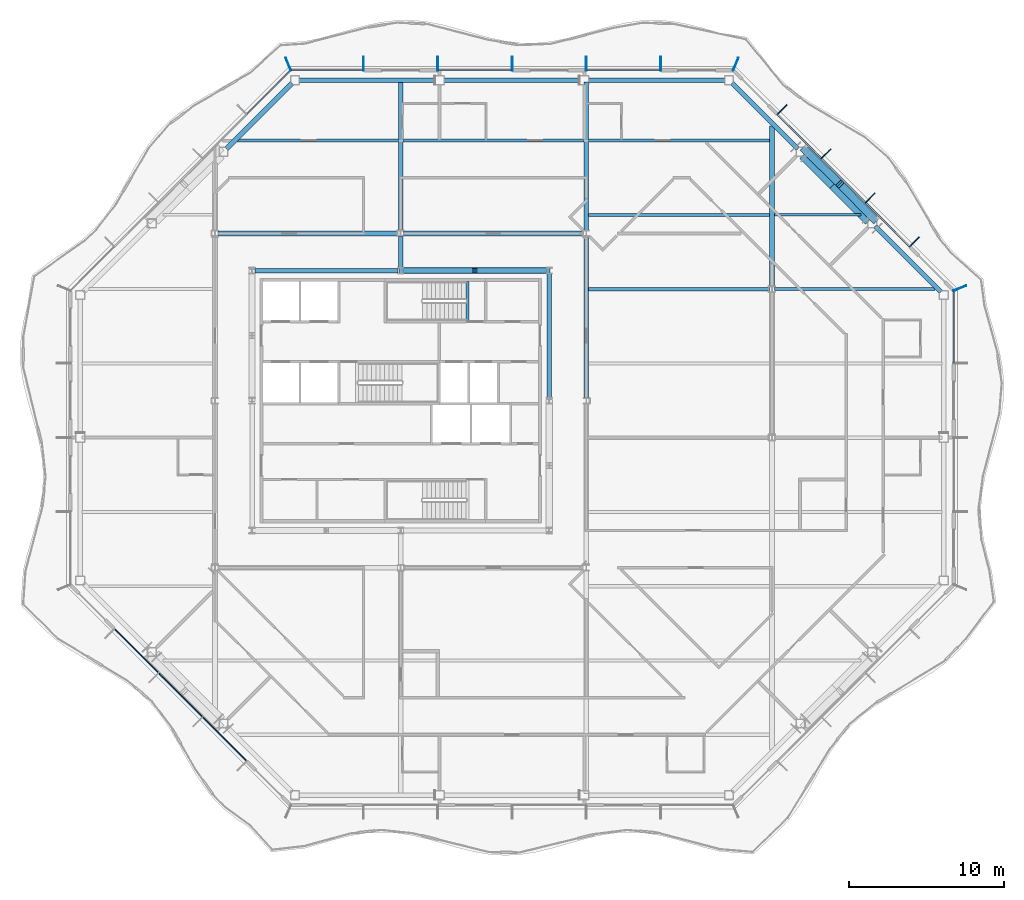
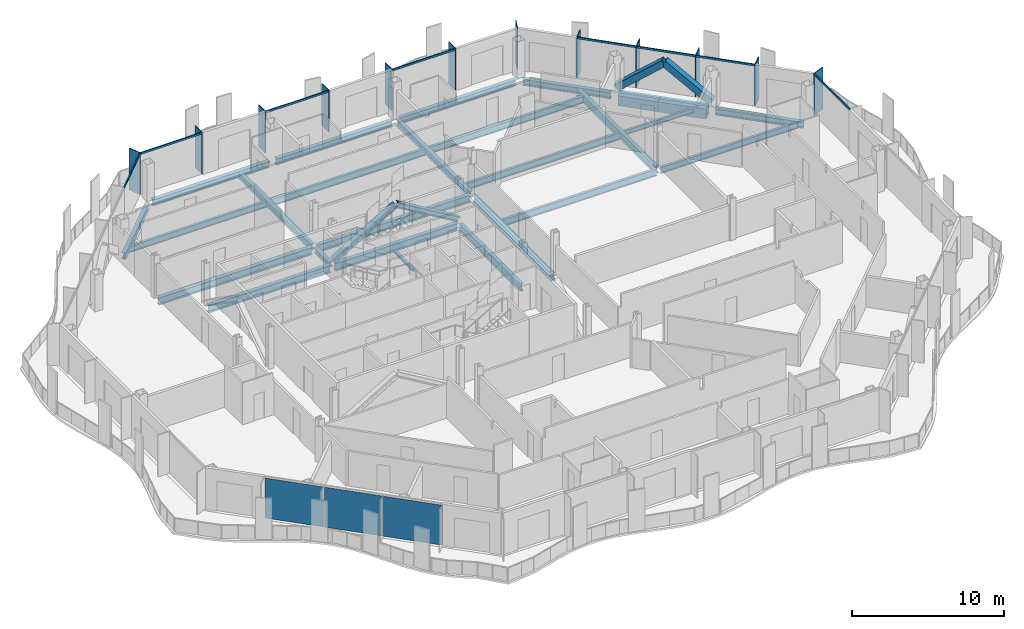
# One storey, part 5 of 19: 26 beams, 24 members, 3 plates, 5 elements without a shape of their own.
"""IFC4 building model written with IfcOpenShell, lengths in metres."""

from ifc_helpers import new_model, si_unit, direction, frame, origin, origin_2d, place, context, subcontext, project, spatial, rectangle, hollow_rectangle, i_section, extrude, material, layer, layer_set, material_profile, profile_set, type_object, element, aggregate, save


model = new_model("IFC4")

# Units and contexts
model_context = context("Model", 3, precision=1e-05, world=origin(), true_north=direction((0.0, 1.0)))
body_context = subcontext(model_context, "Body", "Model", "MODEL_VIEW")
ifc_project = project(units=[si_unit("LENGTHUNIT", "METRE"), si_unit("AREAUNIT", "SQUARE_METRE"), si_unit("VOLUMEUNIT", "CUBIC_METRE"), si_unit("PLANEANGLEUNIT", "RADIAN"), si_unit("MASSUNIT", "GRAM", prefix="KILO")], contexts=[model_context])

# Site, building, storey
site_placement = place(None, origin())
site = spatial("IfcSite", under=ifc_project, at=site_placement, CompositionType="ELEMENT")
building_placement = place(site_placement, origin())
building = spatial("IfcBuilding", under=site, at=building_placement, Name="Cairn Pilgrim Tower", CompositionType="ELEMENT")
storey_placement = place(building_placement, frame((0.0, 0.0, 201.0)))
storey = spatial("IfcBuildingStorey", under=building, at=storey_placement, Name="L51", CompositionType="ELEMENT", Elevation=201.0)

# Members
ifc_material_1 = material(Name="Structural steel S460M", Category="steel")
ifc_material_profile_1 = material_profile(ifc_material_1, hollow_rectangle(XDim=0.5, YDim=0.5, WallThickness=0.030029296875, at=origin_2d()), Name="BOX 500x500x30")
ifc_profile_set_1 = profile_set([ifc_material_profile_1], Name="Structural steel S460M")
member_type_1 = type_object("IfcMemberType", Name="BOX 500x500x30 BRACE", PredefinedType="BRACE", material=ifc_profile_set_1)
for number, where, z_axis, x_axis, name in (
    (1, (37.84326171875, 14.097900390625, 0.14990234375), (-0.551162314886, 0.558822295345, 0.619627101469), (-0.711969557174, -0.702210331494, 0.0), "XB-NE2-NE3-1"),
    (2, (33.2978515625, 18.643310546875, 0.14990234375), (0.558863129775, -0.551144025773, 0.619606540502), (0.702172509687, 0.712006858562, 0.0), "XB-NE2-NE3-2"),
):
    element("IfcMember", number, at=place(storey_placement, frame(where, z_axis=z_axis, x_axis=x_axis)), inside=storey, type_object=member_type_1, Name=name, PredefinedType="BRACE", context=body_context, shape_type="SweptSolid", body=[
        extrude(hollow_rectangle(XDim=0.5, YDim=0.5, WallThickness=0.030029296875, at=origin_2d()), origin(), (0.0, 0.0, 1.0), 4.111572265625),
    ])

# Beams
ifc_material_2 = material(Name="Structural steel S355J2", Category="steel")
ifc_material_profile_2 = material_profile(ifc_material_2, hollow_rectangle(XDim=0.699951171875, YDim=0.800048828125, WallThickness=0.0400390625, at=origin_2d()), Name="BOX 700x800x40")
ifc_profile_set_2 = profile_set([ifc_material_profile_2], Name="Structural steel S355J2")
beam_type_1 = type_object("IfcBeamType", Name="BOX 700x800x40 RING GIRDER", PredefinedType="SPANDREL", material=ifc_profile_set_2)
beam_1_placement = place(storey_placement, frame((37.48486328125, 14.04248046875, -0.550048828125), z_axis=(-0.707144167539, 0.707069392857, 0.0), x_axis=(-0.707069392857, -0.707144167539, 0.0)))
element("IfcBeam", 3, at=beam_1_placement, inside=storey, type_object=beam_type_1, Name="RG2-NE2-NE3-1", PredefinedType="SPANDREL", context=body_context, shape_type="SweptSolid", body=[
    extrude(hollow_rectangle(XDim=0.699951171875, YDim=0.800048828125, WallThickness=0.0400390625, at=origin_2d()), origin(), (0.0, 0.0, 1.0), 3.26513671875),
])
beam_2_placement = place(storey_placement, frame((35.176025390625, 16.35107421875, -0.550048828125), z_axis=(-0.707062142016, 0.707151417539, 0.0), x_axis=(-0.707151417539, -0.707062142016, 0.0)))
element("IfcBeam", 4, at=beam_2_placement, inside=storey, type_object=beam_type_1, Name="RG2-NE2-NE3-2", PredefinedType="SPANDREL", context=body_context, shape_type="SweptSolid", body=[
    extrude(hollow_rectangle(XDim=0.699951171875, YDim=0.800048828125, WallThickness=0.0400390625, at=origin_2d()), origin(), (0.0, 0.0, 1.0), 2.734619140625),
])

# Curtain wall, members
ifc_material_3 = material(Name="Aluminium alloy 6063-T6 bronze anodised with Bronze tinted laminated low-E glass 8+16+8.8", Category="aluminium")
curtain_wall_type_1 = type_object("IfcCurtainWallType", Name="CHAMFER CORNER CURTAIN WALL", PredefinedType="NOTDEFINED", material=ifc_material_3)
curtain_wall_1_placement = place(storey_placement, origin())
curtain_wall_1 = element("IfcCurtainWall", 5, at=curtain_wall_1_placement, inside=storey, type_object=curtain_wall_type_1, Name="Chamfer Corner Curtain Wall NE", PredefinedType="NOTDEFINED")
ifc_material_4 = material(Name="Aluminium alloy 6063-T6 bronze anodised", Category="aluminium")
ifc_material_profile_3 = material_profile(ifc_material_4, rectangle(XDim=0.89990234375, YDim=0.06005859375, at=origin_2d()), Name="FIN MULLION 60x900 BRONZE")
ifc_profile_set_3 = profile_set([ifc_material_profile_3], Name="Aluminium alloy 6063-T6 bronze anodised")
member_type_2 = type_object("IfcMemberType", Name="FIN MULLION 60x900 BRONZE", PredefinedType="MULLION", material=ifc_profile_set_3)
member_1_placement = place(storey_placement, frame((43.338134765625, 9.6572265625, 0.0), z_axis=(0.0, 0.0, 1.0), x_axis=(0.923879532511, 0.382683432365, 0.0)))
member_1 = element("IfcMember", 6, at=member_1_placement, type_object=member_type_2, Name="Fin mullion NE1", PredefinedType="MULLION", context=body_context, shape_type="SweptSolid", body=[
    extrude(rectangle(XDim=0.89990234375, YDim=0.06005859375, at=origin_2d()), origin(), (0.0, 0.0, 1.0), 3.35009765625),
])
member_2_placement = place(storey_placement, frame((40.396240234375, 12.64404296875, 0.0), z_axis=(0.0, 0.0, 1.0), x_axis=(0.707106781187, 0.707106781187, 0.0)))
member_2 = element("IfcMember", 7, at=member_2_placement, type_object=member_type_2, Name="Fin mullion NE2", PredefinedType="MULLION", context=body_context, shape_type="SweptSolid", body=[
    extrude(rectangle(XDim=0.89990234375, YDim=0.06005859375, at=origin_2d()), origin(), (0.0, 0.0, 1.0), 3.35009765625),
])
member_3_placement = place(storey_placement, frame((37.545654296875, 15.494873046875, 0.0), z_axis=(0.0, 0.0, 1.0), x_axis=(0.707106781187, 0.707106781187, 0.0)))
member_3 = element("IfcMember", 8, at=member_3_placement, type_object=member_type_2, Name="Fin mullion NE3", PredefinedType="MULLION", context=body_context, shape_type="SweptSolid", body=[
    extrude(rectangle(XDim=0.89990234375, YDim=0.06005859375, at=origin_2d()), origin(), (0.0, 0.0, 1.0), 3.35009765625),
])
member_4_placement = place(storey_placement, frame((34.69482421875, 18.345458984375, 0.0), z_axis=(0.0, 0.0, 1.0), x_axis=(0.707106781187, 0.707106781187, 0.0)))
member_4 = element("IfcMember", 9, at=member_4_placement, type_object=member_type_2, Name="Fin mullion NE4", PredefinedType="MULLION", context=body_context, shape_type="SweptSolid", body=[
    extrude(rectangle(XDim=0.89990234375, YDim=0.06005859375, at=origin_2d()), origin(), (0.0, 0.0, 1.0), 3.35009765625),
])
member_5_placement = place(storey_placement, frame((31.84423828125, 21.1962890625, 0.0), z_axis=(0.0, 0.0, 1.0), x_axis=(0.707106781187, 0.707106781187, 0.0)))
member_5 = element("IfcMember", 10, at=member_5_placement, type_object=member_type_2, Name="Fin mullion NE5", PredefinedType="MULLION", context=body_context, shape_type="SweptSolid", body=[
    extrude(rectangle(XDim=0.89990234375, YDim=0.06005859375, at=origin_2d()), origin(), (0.0, 0.0, 1.0), 3.35009765625),
])

curtain_wall_type_2 = type_object("IfcCurtainWallType", Name="TOWER STICK CURTAIN WALL NS", PredefinedType="NOTDEFINED", material=ifc_material_3)
curtain_wall_2_placement = place(storey_placement, origin())
curtain_wall_2 = element("IfcCurtainWall", 11, at=curtain_wall_2_placement, inside=storey, type_object=curtain_wall_type_2, Name="Tower Stick Curtain Wall Ns N", PredefinedType="NOTDEFINED")
member_6_placement = place(storey_placement, frame((28.857177734375, 24.137939453125, 0.0), z_axis=(0.0, 0.0, 1.0), x_axis=(0.382683432365, 0.923879532511, 0.0)))
member_6 = element("IfcMember", 12, at=member_6_placement, type_object=member_type_2, Name="Fin mullion N1", PredefinedType="MULLION", context=body_context, shape_type="SweptSolid", body=[
    extrude(rectangle(XDim=0.89990234375, YDim=0.06005859375, at=origin_2d()), origin(), (0.0, 0.0, 1.0), 3.35009765625),
])
member_7_placement = place(storey_placement, frame((24.0, 24.169921875, 0.0), z_axis=(0.0, 0.0, 1.0), x_axis=(0.0, 1.0, 0.0)))
member_7 = element("IfcMember", 13, at=member_7_placement, type_object=member_type_2, Name="Fin mullion N2", PredefinedType="MULLION", context=body_context, shape_type="SweptSolid", body=[
    extrude(rectangle(XDim=0.89990234375, YDim=0.06005859375, at=origin_2d()), origin(), (0.0, 0.0, 1.0), 3.35009765625),
])
member_8_placement = place(storey_placement, frame((19.199951171875, 24.169921875, 0.0), z_axis=(0.0, 0.0, 1.0), x_axis=(0.0, 1.0, 0.0)))
member_8 = element("IfcMember", 14, at=member_8_placement, type_object=member_type_2, Name="Fin mullion N3", PredefinedType="MULLION", context=body_context, shape_type="SweptSolid", body=[
    extrude(rectangle(XDim=0.89990234375, YDim=0.06005859375, at=origin_2d()), origin(), (0.0, 0.0, 1.0), 3.35009765625),
])
member_9_placement = place(storey_placement, frame((14.39990234375, 24.169921875, 0.0), z_axis=(0.0, 0.0, 1.0), x_axis=(0.0, 1.0, 0.0)))
member_9 = element("IfcMember", 15, at=member_9_placement, type_object=member_type_2, Name="Fin mullion N4", PredefinedType="MULLION", context=body_context, shape_type="SweptSolid", body=[
    extrude(rectangle(XDim=0.89990234375, YDim=0.06005859375, at=origin_2d()), origin(), (0.0, 0.0, 1.0), 3.35009765625),
])
member_10_placement = place(storey_placement, frame((9.60009765625, 24.169921875, 0.0), z_axis=(0.0, 0.0, 1.0), x_axis=(0.0, 1.0, 0.0)))
member_10 = element("IfcMember", 16, at=member_10_placement, type_object=member_type_2, Name="Fin mullion N5", PredefinedType="MULLION", context=body_context, shape_type="SweptSolid", body=[
    extrude(rectangle(XDim=0.89990234375, YDim=0.06005859375, at=origin_2d()), origin(), (0.0, 0.0, 1.0), 3.35009765625),
])
member_11_placement = place(storey_placement, frame((4.800048828125, 24.169921875, 0.0), z_axis=(0.0, 0.0, 1.0), x_axis=(0.0, 1.0, 0.0)))
member_11 = element("IfcMember", 17, at=member_11_placement, type_object=member_type_2, Name="Fin mullion N6", PredefinedType="MULLION", context=body_context, shape_type="SweptSolid", body=[
    extrude(rectangle(XDim=0.89990234375, YDim=0.06005859375, at=origin_2d()), origin(), (0.0, 0.0, 1.0), 3.35009765625),
])

# Curtain wall, member
curtain_wall_3_placement = place(storey_placement, origin())
curtain_wall_3 = element("IfcCurtainWall", 18, at=curtain_wall_3_placement, inside=storey, type_object=curtain_wall_type_1, Name="Chamfer Corner Curtain Wall NW", PredefinedType="NOTDEFINED")
member_12_placement = place(storey_placement, frame((-0.05712890625, 24.137939453125, 0.0), z_axis=(0.0, 0.0, 1.0), x_axis=(-0.382683432365, 0.923879532511, 0.0)))
member_12 = element("IfcMember", 19, at=member_12_placement, type_object=member_type_2, Name="Fin mullion NW1", PredefinedType="MULLION", context=body_context, shape_type="SweptSolid", body=[
    extrude(rectangle(XDim=0.89990234375, YDim=0.06005859375, at=origin_2d()), origin(), (0.0, 0.0, 1.0), 3.35009765625),
])

# Members
ifc_material_profile_4 = material_profile(ifc_material_2, i_section(OverallWidth=0.39794921875, OverallDepth=0.386962890625, WebThickness=0.02099609375, FlangeThickness=0.033203125, FilletRadius=0.014892578125, at=origin_2d()), Name="HD 400x262")
ifc_profile_set_4 = profile_set([ifc_material_profile_4], Name="Structural steel S355J2")
member_type_3 = type_object("IfcMemberType", Name="HD 400x262 BRACE", PredefinedType="BRACE", material=ifc_profile_set_4)
for number, where, z_axis, x_axis, name in (
    (20, (16.759521484375, 10.800048828125, 0.10009765625), (-0.859679528061, 0.0, 0.510833739129), (0.0, -1.0, 0.0), "KB-3A"),
    (21, (7.240478515625, 10.800048828125, 0.10009765625), (0.859679528061, 0.0, 0.510833739129), (0.0, 1.0, 0.0), "KB-3B"),
):
    element("IfcMember", number, at=place(storey_placement, frame(where, z_axis=z_axis, x_axis=x_axis)), inside=storey, type_object=member_type_3, Name=name, PredefinedType="BRACE", context=body_context, shape_type="SweptSolid", body=[
        extrude(i_section(OverallWidth=0.39794921875, OverallDepth=0.386962890625, WebThickness=0.02099609375, FlangeThickness=0.033203125, FilletRadius=0.014892578125, at=origin_2d()), origin(), (0.0, 0.0, 1.0), 5.487548828125),
    ])

# Beams
ifc_material_profile_5 = material_profile(ifc_material_2, i_section(OverallWidth=0.300048828125, OverallDepth=0.39990234375, WebThickness=0.013427734375, FlangeThickness=0.02392578125, FilletRadius=0.027099609375, at=origin_2d()), Name="HEB 400")
ifc_profile_set_5 = profile_set([ifc_material_profile_5], Name="Structural steel S355J2")
beam_type_2 = type_object("IfcBeamType", Name="HEB 400 GIRDER", PredefinedType="BEAM", material=ifc_profile_set_5)
beam_3_placement = place(storey_placement, frame((7.199951171875, 11.001953125, -0.35009765625), z_axis=(0.0, 1.0, 0.0), x_axis=(-1.0, 0.0, 0.0)))
element("IfcBeam", 22, at=beam_3_placement, inside=storey, type_object=beam_type_2, Name="PG3-E2", PredefinedType="BEAM", context=body_context, shape_type="SweptSolid", body=[
    extrude(i_section(OverallWidth=0.300048828125, OverallDepth=0.39990234375, WebThickness=0.013427734375, FlangeThickness=0.02392578125, FilletRadius=0.027099609375, at=origin_2d()), origin(), (0.0, 0.0, 1.0), 1.99853515625),
])
ifc_material_profile_6 = material_profile(ifc_material_2, i_section(OverallWidth=0.300048828125, OverallDepth=0.5, WebThickness=0.014404296875, FlangeThickness=0.028076171875, FilletRadius=0.027099609375, at=origin_2d()), Name="HEB 500")
ifc_profile_set_6 = profile_set([ifc_material_profile_6], Name="Structural steel S355J2")
beam_type_3 = type_object("IfcBeamType", Name="HEB 500 GIRDER", PredefinedType="BEAM", material=ifc_profile_set_6)
for number, where, z_axis, x_axis, name in (
    (23, (7.199951171875, 13.3994140625, -0.39990234375), (0.0, 1.0, 0.0), (-1.0, 0.0, 0.0), "PG3-2"),
    (24, (19.199951171875, 13.3994140625, -0.39990234375), (0.0, 1.0, 0.0), (-1.0, 0.0, 0.0), "PG4-4"),
):
    element("IfcBeam", number, at=place(storey_placement, frame(where, z_axis=z_axis, x_axis=x_axis)), inside=storey, type_object=beam_type_3, Name=name, PredefinedType="BEAM", context=body_context, shape_type="SweptSolid", body=[
        extrude(i_section(OverallWidth=0.300048828125, OverallDepth=0.5, WebThickness=0.014404296875, FlangeThickness=0.028076171875, FilletRadius=0.027099609375, at=origin_2d()), origin(), (0.0, 0.0, 1.0), 9.58056640625),
    ])
ifc_material_profile_7 = material_profile(ifc_material_2, i_section(OverallWidth=0.300048828125, OverallDepth=0.5, WebThickness=0.014404296875, FlangeThickness=0.028076171875, FilletRadius=0.027099609375, at=origin_2d()), Name="HEB 500")
ifc_profile_set_7 = profile_set([ifc_material_profile_7], Name="Structural steel S355J2")
beam_type_4 = type_object("IfcBeamType", Name="HEB 500 RING GIRDER", PredefinedType="SPANDREL", material=ifc_profile_set_7)
for number, where, z_axis, x_axis, name in (
    (25, (42.109130859375, 9.418212890625, -0.39990234375), (-0.707106781187, 0.707106781187, 0.0), (-0.707106781187, -0.707106781187, 0.0), "RG2-NE1-NE2"),
    (26, (32.860595703125, 18.666748046875, -0.39990234375), (-0.707106781187, 0.707106781187, 0.0), (-0.707106781187, -0.707106781187, 0.0), "RG2-NE3-N1"),
):
    element("IfcBeam", number, at=place(storey_placement, frame(where, z_axis=z_axis, x_axis=x_axis)), inside=storey, type_object=beam_type_4, Name=name, PredefinedType="SPANDREL", context=body_context, shape_type="SweptSolid", body=[
        extrude(i_section(OverallWidth=0.300048828125, OverallDepth=0.5, WebThickness=0.014404296875, FlangeThickness=0.028076171875, FilletRadius=0.027099609375, at=origin_2d()), origin(), (0.0, 0.0, 1.0), 5.999755859375),
    ])
beam_4_placement = place(storey_placement, frame((28.1572265625, 23.10009765625, -0.39990234375), z_axis=(-1.0, 0.0, 0.0), x_axis=(0.0, -1.0, 0.0)))
element("IfcBeam", 27, at=beam_4_placement, inside=storey, type_object=beam_type_4, Name="RG2-N1-N2", PredefinedType="SPANDREL", context=body_context, shape_type="SweptSolid", body=[
    extrude(i_section(OverallWidth=0.300048828125, OverallDepth=0.5, WebThickness=0.014404296875, FlangeThickness=0.028076171875, FilletRadius=0.027099609375, at=origin_2d()), origin(), (0.0, 0.0, 1.0), 8.8115234375),
])
beam_5_placement = place(storey_placement, frame((18.8056640625, 23.10009765625, -0.39990234375), z_axis=(-1.0, 0.0, 0.0), x_axis=(0.0, -1.0, 0.0)))
element("IfcBeam", 28, at=beam_5_placement, inside=storey, type_object=beam_type_4, Name="RG2-N2-N3", PredefinedType="SPANDREL", context=body_context, shape_type="SweptSolid", body=[
    extrude(i_section(OverallWidth=0.300048828125, OverallDepth=0.5, WebThickness=0.014404296875, FlangeThickness=0.028076171875, FilletRadius=0.027099609375, at=origin_2d()), origin(), (0.0, 0.0, 1.0), 8.811279296875),
])
beam_6_placement = place(storey_placement, frame((9.454345703125, 23.10009765625, -0.39990234375), z_axis=(-1.0, 0.0, 0.0), x_axis=(0.0, -1.0, 0.0)))
element("IfcBeam", 29, at=beam_6_placement, inside=storey, type_object=beam_type_4, Name="RG2-N3-NW1", PredefinedType="SPANDREL", context=body_context, shape_type="SweptSolid", body=[
    extrude(i_section(OverallWidth=0.300048828125, OverallDepth=0.5, WebThickness=0.014404296875, FlangeThickness=0.028076171875, FilletRadius=0.027099609375, at=origin_2d()), origin(), (0.0, 0.0, 1.0), 8.8115234375),
])
beam_7_placement = place(storey_placement, frame((0.181884765625, 22.9091796875, -0.39990234375), z_axis=(-0.707106781187, -0.707106781187, 0.0), x_axis=(0.707106781187, -0.707106781187, 0.0)))
element("IfcBeam", 30, at=beam_7_placement, inside=storey, type_object=beam_type_4, Name="RG2-NW1-NW2", PredefinedType="SPANDREL", context=body_context, shape_type="SweptSolid", body=[
    extrude(i_section(OverallWidth=0.300048828125, OverallDepth=0.5, WebThickness=0.014404296875, FlangeThickness=0.028076171875, FilletRadius=0.027099609375, at=origin_2d()), origin(), (0.0, 0.0, 1.0), 5.999755859375),
])
ifc_material_profile_8 = material_profile(ifc_material_2, i_section(OverallWidth=0.300048828125, OverallDepth=0.60009765625, WebThickness=0.015380859375, FlangeThickness=0.030029296875, FilletRadius=0.027099609375, at=origin_2d()), Name="HEB 600")
ifc_profile_set_8 = profile_set([ifc_material_profile_8], Name="Structural steel S355J2")
beam_type_5 = type_object("IfcBeamType", Name="HEB 600 CORE BEAM", PredefinedType="BEAM", material=ifc_profile_set_8)
beam_8_placement = place(storey_placement, frame((16.800048828125, 2.581787109375, -0.449951171875), z_axis=(0.0, 1.0, 0.0), x_axis=(-1.0, 0.0, 0.0)))
element("IfcBeam", 31, at=beam_8_placement, inside=storey, type_object=beam_type_5, Name="CB-4", PredefinedType="BEAM", context=body_context, shape_type="SweptSolid", body=[
    extrude(i_section(OverallWidth=0.300048828125, OverallDepth=0.60009765625, WebThickness=0.015380859375, FlangeThickness=0.030029296875, FilletRadius=0.027099609375, at=origin_2d()), origin(), (0.0, 0.0, 1.0), 8.036376953125),
])
beam_9_placement = place(storey_placement, frame((16.6181640625, 10.800048828125, -0.449951171875), z_axis=(-1.0, 0.0, 0.0), x_axis=(0.0, -1.0, 0.0)))
element("IfcBeam", 32, at=beam_9_placement, inside=storey, type_object=beam_type_5, Name="CB-5", PredefinedType="BEAM", context=body_context, shape_type="SweptSolid", body=[
    extrude(i_section(OverallWidth=0.300048828125, OverallDepth=0.60009765625, WebThickness=0.015380859375, FlangeThickness=0.030029296875, FilletRadius=0.027099609375, at=origin_2d()), origin(), (0.0, 0.0, 1.0), 9.236328125),
])
beam_10_placement = place(storey_placement, frame((7.018310546875, 10.800048828125, -0.449951171875), z_axis=(-1.0, 0.0, 0.0), x_axis=(0.0, -1.0, 0.0)))
element("IfcBeam", 33, at=beam_10_placement, inside=storey, type_object=beam_type_5, Name="CB-6", PredefinedType="BEAM", context=body_context, shape_type="SweptSolid", body=[
    extrude(i_section(OverallWidth=0.300048828125, OverallDepth=0.60009765625, WebThickness=0.015380859375, FlangeThickness=0.030029296875, FilletRadius=0.027099609375, at=origin_2d()), origin(), (0.0, 0.0, 1.0), 9.236572265625),
])
ifc_material_profile_9 = material_profile(ifc_material_2, i_section(OverallWidth=0.300048828125, OverallDepth=0.60009765625, WebThickness=0.015380859375, FlangeThickness=0.030029296875, FilletRadius=0.027099609375, at=origin_2d()), Name="HEB 600")
ifc_profile_set_9 = profile_set([ifc_material_profile_9], Name="Structural steel S355J2")
beam_type_6 = type_object("IfcBeamType", Name="HEB 600 GIRDER", PredefinedType="BEAM", material=ifc_profile_set_9)
beam_11_placement = place(storey_placement, frame((19.199951171875, 2.599609375, -0.449951171875), z_axis=(0.0, 1.0, 0.0), x_axis=(-1.0, 0.0, 0.0)))
element("IfcBeam", 34, at=beam_11_placement, inside=storey, type_object=beam_type_6, Name="PG4-3", PredefinedType="BEAM", context=body_context, shape_type="SweptSolid", body=[
    extrude(i_section(OverallWidth=0.300048828125, OverallDepth=0.60009765625, WebThickness=0.015380859375, FlangeThickness=0.030029296875, FilletRadius=0.027099609375, at=origin_2d()), origin(), (0.0, 0.0, 1.0), 10.40087890625),
])
beam_12_placement = place(storey_placement, frame((31.199951171875, 9.804443359375, -0.449951171875), z_axis=(0.0, 1.0, 0.0), x_axis=(-1.0, 0.0, 0.0)))
element("IfcBeam", 35, at=beam_12_placement, inside=storey, type_object=beam_type_6, Name="PG5-3", PredefinedType="BEAM", context=body_context, shape_type="SweptSolid", body=[
    extrude(i_section(OverallWidth=0.300048828125, OverallDepth=0.60009765625, WebThickness=0.015380859375, FlangeThickness=0.030029296875, FilletRadius=0.027099609375, at=origin_2d()), origin(), (0.0, 0.0, 1.0), 10.340576171875),
])
ifc_material_profile_10 = material_profile(ifc_material_2, i_section(OverallWidth=0.300048828125, OverallDepth=0.60009765625, WebThickness=0.015380859375, FlangeThickness=0.030029296875, FilletRadius=0.027099609375, at=origin_2d()), Name="HEB 600")
ifc_profile_set_10 = profile_set([ifc_material_profile_10], Name="Structural steel S355J2")
beam_type_7 = type_object("IfcBeamType", Name="HEB 600 INNER GIRDER", PredefinedType="BEAM", material=ifc_profile_set_10)
for number, where, z_axis, x_axis, name in (
    (36, (-4.6005859375, 13.199951171875, -0.449951171875), (1.0, 0.0, 0.0), (0.0, 1.0, 0.0), "IG2-1"),
    (37, (7.3994140625, 13.199951171875, -0.449951171875), (1.0, 0.0, 0.0), (0.0, 1.0, 0.0), "IG2-2"),
):
    element("IfcBeam", number, at=place(storey_placement, frame(where, z_axis=z_axis, x_axis=x_axis)), inside=storey, type_object=beam_type_7, Name=name, PredefinedType="BEAM", context=body_context, shape_type="SweptSolid", body=[
        extrude(i_section(OverallWidth=0.300048828125, OverallDepth=0.60009765625, WebThickness=0.015380859375, FlangeThickness=0.030029296875, FilletRadius=0.027099609375, at=origin_2d()), origin(), (0.0, 0.0, 1.0), 11.60107421875),
    ])
ifc_material_profile_11 = material_profile(ifc_material_2, i_section(OverallWidth=0.169921875, OverallDepth=0.360107421875, WebThickness=0.008056640625, FlangeThickness=0.0126953125, FilletRadius=0.01806640625, at=origin_2d()), Name="IPE 360")
ifc_profile_set_11 = profile_set([ifc_material_profile_11], Name="Structural steel S355J2")
beam_type_8 = type_object("IfcBeamType", Name="IPE 360 SECONDARY BEAM", PredefinedType="JOIST", material=ifc_profile_set_11)
beam_13_placement = place(storey_placement, frame((31.35009765625, 14.39990234375, -0.330078125), z_axis=(1.0, 0.0, 0.0), x_axis=(0.0, 1.0, 0.0)))
element("IfcBeam", 38, at=beam_13_placement, inside=storey, type_object=beam_type_8, Name="SB8-3", PredefinedType="JOIST", context=body_context, shape_type="SweptSolid", body=[
    extrude(i_section(OverallWidth=0.169921875, OverallDepth=0.360107421875, WebThickness=0.008056640625, FlangeThickness=0.0126953125, FilletRadius=0.01806640625, at=origin_2d()), origin(), (0.0, 0.0, 1.0), 5.594970703125),
])
ifc_material_profile_12 = material_profile(ifc_material_2, i_section(OverallWidth=0.199951171875, OverallDepth=0.5, WebThickness=0.01025390625, FlangeThickness=0.01611328125, FilletRadius=0.02099609375, at=origin_2d()), Name="IPE 500")
ifc_profile_set_12 = profile_set([ifc_material_profile_12], Name="Structural steel S355J2")
beam_type_9 = type_object("IfcBeamType", Name="IPE 500 SECONDARY BEAM", PredefinedType="JOIST", material=ifc_profile_set_12)
beam_14_placement = place(storey_placement, frame((31.35009765625, 9.60009765625, -0.39990234375), z_axis=(1.0, 0.0, 0.0), x_axis=(0.0, 1.0, 0.0)))
element("IfcBeam", 39, at=beam_14_placement, inside=storey, type_object=beam_type_9, Name="SB7-3", PredefinedType="JOIST", context=body_context, shape_type="SweptSolid", body=[
    extrude(i_section(OverallWidth=0.199951171875, OverallDepth=0.5, WebThickness=0.01025390625, FlangeThickness=0.01611328125, FilletRadius=0.02099609375, at=origin_2d()), origin(), (0.0, 0.0, 1.0), 10.39501953125),
])
beam_15_placement = place(storey_placement, frame((-3.34521484375, 19.199951171875, -0.39990234375), z_axis=(1.0, 0.0, 0.0), x_axis=(0.0, 1.0, 0.0)))
element("IfcBeam", 40, at=beam_15_placement, inside=storey, type_object=beam_type_9, Name="SB9-1", PredefinedType="JOIST", context=body_context, shape_type="SweptSolid", body=[
    extrude(i_section(OverallWidth=0.199951171875, OverallDepth=0.5, WebThickness=0.01025390625, FlangeThickness=0.01611328125, FilletRadius=0.02099609375, at=origin_2d()), origin(), (0.0, 0.0, 1.0), 10.395263671875),
])
ifc_material_profile_13 = material_profile(ifc_material_2, i_section(OverallWidth=0.2099609375, OverallDepth=0.550048828125, WebThickness=0.010986328125, FlangeThickness=0.01708984375, FilletRadius=0.02392578125, at=origin_2d()), Name="IPE 550")
ifc_profile_set_13 = profile_set([ifc_material_profile_13], Name="Structural steel S355J2")
beam_type_10 = type_object("IfcBeamType", Name="IPE 550 SECONDARY BEAM", PredefinedType="JOIST", material=ifc_profile_set_13)
for number, where, z_axis, x_axis, name in (
    (41, (19.35009765625, 9.60009765625, -0.425048828125), (1.0, 0.0, 0.0), (0.0, 1.0, 0.0), "SB7-2"),
    (42, (19.35009765625, 14.39990234375, -0.425048828125), (1.0, 0.0, 0.0), (0.0, 1.0, 0.0), "SB8-2"),
    (43, (7.35009765625, 19.199951171875, -0.425048828125), (1.0, 0.0, 0.0), (0.0, 1.0, 0.0), "SB9-2"),
    (44, (19.35009765625, 19.199951171875, -0.425048828125), (1.0, 0.0, 0.0), (0.0, 1.0, 0.0), "SB9-3"),
):
    element("IfcBeam", number, at=place(storey_placement, frame(where, z_axis=z_axis, x_axis=x_axis)), inside=storey, type_object=beam_type_10, Name=name, PredefinedType="JOIST", context=body_context, shape_type="SweptSolid", body=[
        extrude(i_section(OverallWidth=0.2099609375, OverallDepth=0.550048828125, WebThickness=0.010986328125, FlangeThickness=0.01708984375, FilletRadius=0.02392578125, at=origin_2d()), origin(), (0.0, 0.0, 1.0), 11.699951171875),
    ])
ifc_material_profile_14 = material_profile(ifc_material_2, i_section(OverallWidth=0.199951171875, OverallDepth=0.199951171875, WebThickness=0.009033203125, FlangeThickness=0.014892578125, FilletRadius=0.01806640625, at=origin_2d()), Name="HE 200 B")
ifc_profile_set_14 = profile_set([ifc_material_profile_14], Name="Structural steel S355J2")
beam_type_11 = type_object("IfcBeamType", Name="STAIR LANDING BEAM HE 200 B", PredefinedType="BEAM", material=ifc_profile_set_14)
beam_16_placement = place(storey_placement, frame((11.5244140625, 10.10009765625, -0.25), z_axis=(0.0, -1.0, 0.0), x_axis=(1.0, 0.0, 0.0)))
element("IfcBeam", 45, at=beam_16_placement, inside=storey, type_object=beam_type_11, Name="STAIR LANDING BEAM LD-HE200B", PredefinedType="BEAM", context=body_context, shape_type="SweptSolid", body=[
    extrude(i_section(OverallWidth=0.199951171875, OverallDepth=0.199951171875, WebThickness=0.009033203125, FlangeThickness=0.014892578125, FilletRadius=0.01806640625, at=origin_2d()), origin(), (0.0, 0.0, 1.0), 2.525146484375),
])

# Curtain wall, member
curtain_wall_type_3 = type_object("IfcCurtainWallType", Name="TOWER STICK CURTAIN WALL EW", PredefinedType="NOTDEFINED", material=ifc_material_3)
curtain_wall_4_placement = place(storey_placement, origin())
curtain_wall_4 = element("IfcCurtainWall", 46, at=curtain_wall_4_placement, inside=storey, type_object=curtain_wall_type_3, Name="Tower Stick Curtain Wall Ew E", PredefinedType="NOTDEFINED")
ifc_material_profile_15 = material_profile(ifc_material_4, rectangle(XDim=0.080078125, YDim=0.14990234375, at=origin_2d()), Name="TRANSOM 80x150 BRONZE")
ifc_profile_set_15 = profile_set([ifc_material_profile_15], Name="Aluminium alloy 6063-T6 bronze anodised")
member_type_4 = type_object("IfcMemberType", Name="TRANSOM 80x150 BRONZE", PredefinedType="USERDEFINED", material=ifc_profile_set_15)
member_13_placement = place(storey_placement, frame((42.949951171875, 4.830078125, 3.27490234375), z_axis=(0.0, 1.0, 0.0), x_axis=(-1.0, 0.0, 0.0)))
member_13 = element("IfcMember", 47, at=member_13_placement, type_object=member_type_4, Name="Transom E4", ObjectType="TRANSOM", PredefinedType="USERDEFINED", context=body_context, shape_type="SweptSolid", body=[
    extrude(rectangle(XDim=0.080078125, YDim=0.14990234375, at=origin_2d()), origin(), (0.0, 0.0, 1.0), 4.62646484375),
])
aggregate(curtain_wall_4, [member_13])

# Member
member_14_placement = place(storey_placement, frame((40.078125, 12.368408203125, 3.27490234375), z_axis=(-0.707106781187, 0.707106781187, 0.0), x_axis=(-0.707106781187, -0.707106781187, 0.0)))
member_14 = element("IfcMember", 48, at=member_14_placement, type_object=member_type_4, Name="Transom NE2", ObjectType="TRANSOM", PredefinedType="USERDEFINED", context=body_context, shape_type="SweptSolid", body=[
    extrude(rectangle(XDim=0.080078125, YDim=0.14990234375, at=origin_2d()), origin(), (0.0, 0.0, 1.0), 3.9716796875),
])

member_15_placement = place(storey_placement, frame((37.227294921875, 15.218994140625, 3.27490234375), z_axis=(-0.707076043427, 0.70713751761, 0.0), x_axis=(-0.70713751761, -0.707076043427, 0.0)))
member_15 = element("IfcMember", 49, at=member_15_placement, type_object=member_type_4, Name="Transom NE3", ObjectType="TRANSOM", PredefinedType="USERDEFINED", context=body_context, shape_type="SweptSolid", body=[
    extrude(rectangle(XDim=0.080078125, YDim=0.14990234375, at=origin_2d()), origin(), (0.0, 0.0, 1.0), 3.971435546875),
])

member_16_placement = place(storey_placement, frame((34.376708984375, 18.06982421875, 3.27490234375), z_axis=(-0.707106781187, 0.707106781187, 0.0), x_axis=(-0.707106781187, -0.707106781187, 0.0)))
member_16 = element("IfcMember", 50, at=member_16_placement, type_object=member_type_4, Name="Transom NE4", ObjectType="TRANSOM", PredefinedType="USERDEFINED", context=body_context, shape_type="SweptSolid", body=[
    extrude(rectangle(XDim=0.080078125, YDim=0.14990234375, at=origin_2d()), origin(), (0.0, 0.0, 1.0), 3.9716796875),
])

aggregate(curtain_wall_1, [member_1, member_2, member_3, member_4, member_5, member_14, member_15, member_16])

member_17_placement = place(storey_placement, frame((23.969970703125, 23.75, 3.27490234375), z_axis=(-1.0, 0.0, 0.0), x_axis=(0.0, -1.0, 0.0)))
member_17 = element("IfcMember", 51, at=member_17_placement, type_object=member_type_4, Name="Transom N2", ObjectType="TRANSOM", PredefinedType="USERDEFINED", context=body_context, shape_type="SweptSolid", body=[
    extrude(rectangle(XDim=0.080078125, YDim=0.14990234375, at=origin_2d()), origin(), (0.0, 0.0, 1.0), 4.739990234375),
])

member_18_placement = place(storey_placement, frame((14.3701171875, 23.75, 3.27490234375), z_axis=(-1.0, 0.0, 0.0), x_axis=(0.0, -1.0, 0.0)))
member_18 = element("IfcMember", 52, at=member_18_placement, type_object=member_type_4, Name="Transom N4", ObjectType="TRANSOM", PredefinedType="USERDEFINED", context=body_context, shape_type="SweptSolid", body=[
    extrude(rectangle(XDim=0.080078125, YDim=0.14990234375, at=origin_2d()), origin(), (0.0, 0.0, 1.0), 4.740234375),
])

member_19_placement = place(storey_placement, frame((4.77001953125, 23.75, 3.27490234375), z_axis=(-1.0, 0.0, 0.0), x_axis=(0.0, -1.0, 0.0)))
member_19 = element("IfcMember", 53, at=member_19_placement, type_object=member_type_4, Name="Transom N6", ObjectType="TRANSOM", PredefinedType="USERDEFINED", context=body_context, shape_type="SweptSolid", body=[
    extrude(rectangle(XDim=0.080078125, YDim=0.14990234375, at=origin_2d()), origin(), (0.0, 0.0, 1.0), 4.62646484375),
])

aggregate(curtain_wall_2, [member_6, member_7, member_8, member_9, member_10, member_11, member_17, member_18, member_19])

member_20_placement = place(storey_placement, frame((0.0751953125, 23.7216796875, 3.27490234375), z_axis=(-0.707075965734, -0.707137595296, 0.0), x_axis=(0.707137595296, -0.707075965734, 0.0)))
member_20 = element("IfcMember", 54, at=member_20_placement, type_object=member_type_4, Name="Transom NW1", ObjectType="TRANSOM", PredefinedType="USERDEFINED", context=body_context, shape_type="SweptSolid", body=[
    extrude(rectangle(XDim=0.080078125, YDim=0.14990234375, at=origin_2d()), origin(), (0.0, 0.0, 1.0), 3.96142578125),
])

aggregate(curtain_wall_3, [member_12, member_20])

# Curtain wall, plates
curtain_wall_5_placement = place(storey_placement, origin())
curtain_wall_5 = element("IfcCurtainWall", 55, at=curtain_wall_5_placement, inside=storey, type_object=curtain_wall_type_1, Name="Chamfer Corner Curtain Wall SW", PredefinedType="NOTDEFINED")
ifc_material_5 = material(Name="Bronze anodised aluminium spandrel panel with mineral wool insulation", Category="aluminium")
ifc_layer = layer(ifc_material_5, 0.06005859375)
ifc_layer_set = layer_set([ifc_layer], Name="SPANDREL PANEL 3972x3200")
plate_type = type_object("IfcPlateType", Name="SPANDREL PANEL 3972x3200", PredefinedType="CURTAIN_PANEL", material=ifc_layer_set)
plate_1_placement = place(storey_placement, frame((-9.8740234375, -13.7724609375, 0.0), z_axis=(0.0, 0.0, 1.0), x_axis=(0.707106781187, -0.707106781187, 0.0)))
plate_1 = element("IfcPlate", 56, at=plate_1_placement, type_object=plate_type, Name="Spandrel Panel SW2-1", PredefinedType="CURTAIN_PANEL", context=body_context, shape_type="SweptSolid", body=[
    extrude(rectangle(XDim=3.971435546875, YDim=0.06005859375, at=origin_2d()), origin(), (0.0, 0.0, 1.0), 3.199951171875),
])
plate_2_placement = place(storey_placement, frame((-7.023193359375, -16.623291015625, 0.0), z_axis=(0.0, 0.0, 1.0), x_axis=(0.707106781187, -0.707106781187, 0.0)))
plate_2 = element("IfcPlate", 57, at=plate_2_placement, type_object=plate_type, Name="Spandrel Panel SW3-1", PredefinedType="CURTAIN_PANEL", context=body_context, shape_type="SweptSolid", body=[
    extrude(rectangle(XDim=3.971435546875, YDim=0.06005859375, at=origin_2d()), origin(), (0.0, 0.0, 1.0), 3.199951171875),
])
plate_3_placement = place(storey_placement, frame((-4.172607421875, -19.473876953125, 0.0), z_axis=(0.0, 0.0, 1.0), x_axis=(0.707106781187, -0.707106781187, 0.0)))
plate_3 = element("IfcPlate", 58, at=plate_3_placement, type_object=plate_type, Name="Spandrel Panel SW4-1", PredefinedType="CURTAIN_PANEL", context=body_context, shape_type="SweptSolid", body=[
    extrude(rectangle(XDim=3.971435546875, YDim=0.06005859375, at=origin_2d()), origin(), (0.0, 0.0, 1.0), 3.199951171875),
])
aggregate(curtain_wall_5, [plate_1, plate_2, plate_3])

save(model, "model.ifc")
